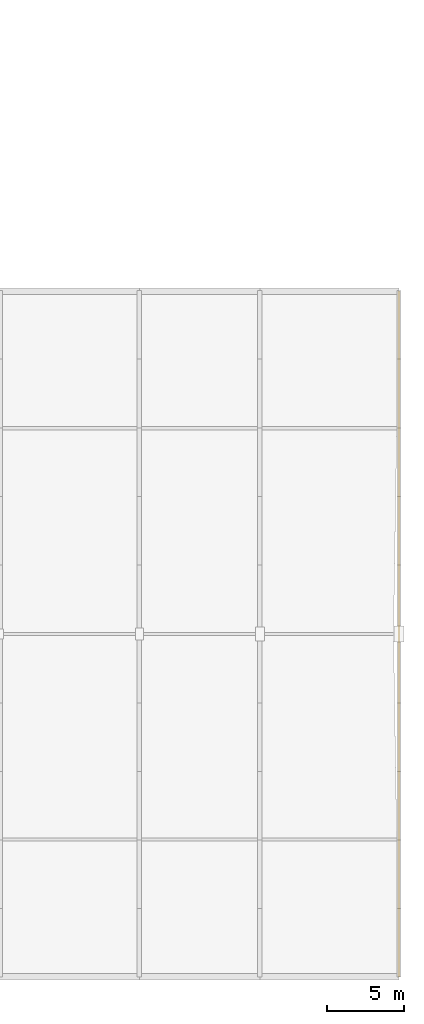
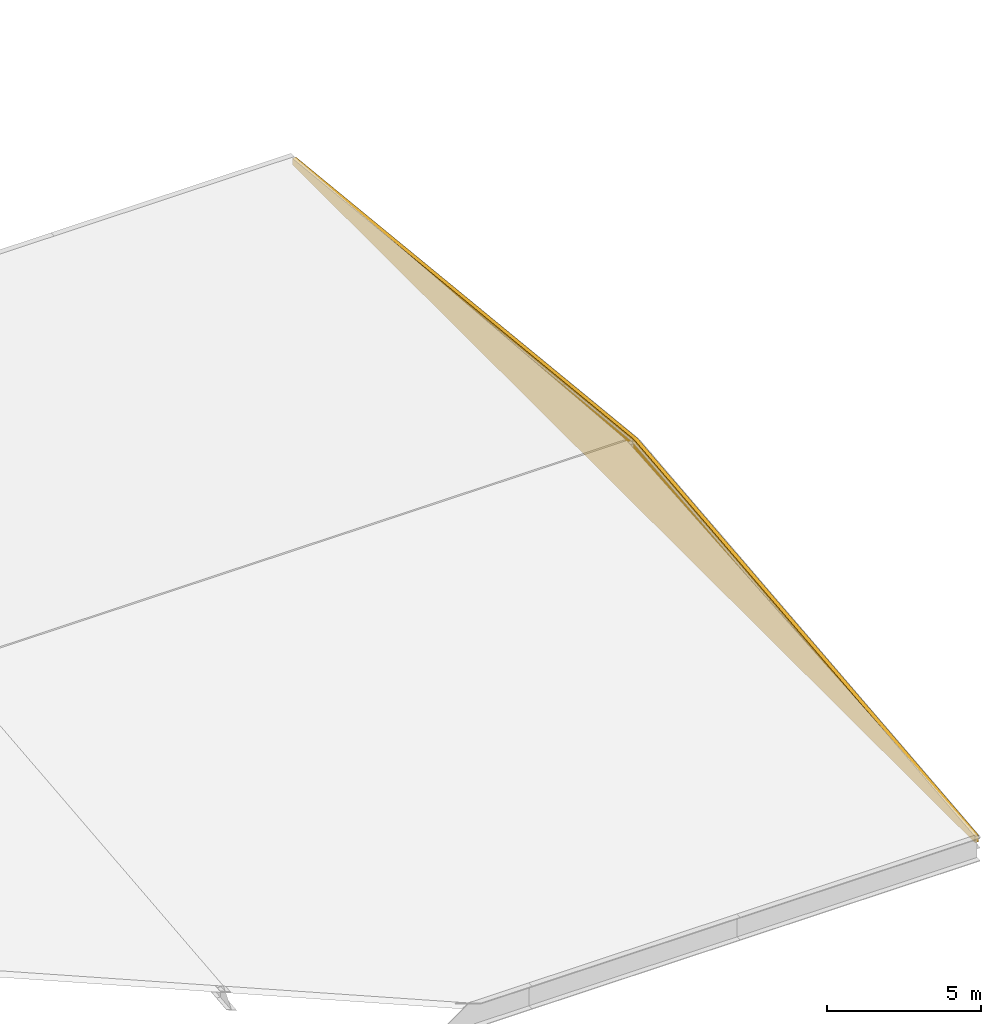
# One storey, part 53 of 53: 1 covering.
"""IFC4 building model written with IfcOpenShell, lengths in metres."""

from ifc_helpers import new_model, si_unit, direction, frame, origin, place, context, subcontext, project, spatial, polyline, outline, extrude, material, type_object, element, save


model = new_model("IFC4")

# Units and contexts
model_context = context("Model", 3, precision=1e-05, world=origin(), true_north=direction((0.0, 1.0)))
body_context = subcontext(model_context, "Body", "Model", "MODEL_VIEW")
ifc_project = project(units=[si_unit("LENGTHUNIT", "METRE"), si_unit("AREAUNIT", "SQUARE_METRE"), si_unit("VOLUMEUNIT", "CUBIC_METRE"), si_unit("PLANEANGLEUNIT", "RADIAN"), si_unit("MASSUNIT", "GRAM", prefix="KILO")], contexts=[model_context])

# Site, building, storey
site_placement = place(None, origin())
site = spatial("IfcSite", under=ifc_project, at=site_placement, CompositionType="ELEMENT")
building_placement = place(site_placement, origin())
building = spatial("IfcBuilding", under=site, at=building_placement, Name="Cazmaro Siding Exhibition Halls", CompositionType="ELEMENT")
storey_placement = place(building_placement, frame((0.0, 0.0, 21.0)))
storey = spatial("IfcBuildingStorey", under=building, at=storey_placement, Name="L04", CompositionType="ELEMENT", Elevation=21.0)

# Covering
ifc_material = material(Name="Insulated Brushed Aluminum Architectural Gable Cladding", Category="aluminium")
covering_type = type_object("IfcCoveringType", Name="COV-CLAD-01", PredefinedType="CLADDING", material=ifc_material)
covering_placement = place(storey_placement, frame((205.800048828125, 9.25, -21.0), z_axis=(0.0, 0.0, 1.0), x_axis=(0.0, 1.0, 0.0)))
element("IfcCovering", 1, at=covering_placement, inside=storey, type_object=covering_type, Name="Hall B2 East Gable Tympanum Cladding COV-CLAD-01 002", PredefinedType="CLADDING", context=body_context, shape_type="SweptSolid", body=[
    extrude(outline(polyline([(0.0, 20.699951171875), (44.35009765625, 20.699951171875), (44.35009765625, 20.949951171875), (22.175048828125, 23.260009765625), (0.0, 20.949951171875), (0.0, 20.699951171875)])), frame((0.0, 0.06982421875, 0.0), z_axis=(0.0, -1.0, 0.0), x_axis=(1.0, 0.0, 0.0)), (0.0, 0.0, 1.0), 0.139892578125),
])

save(model, "model.ifc")
